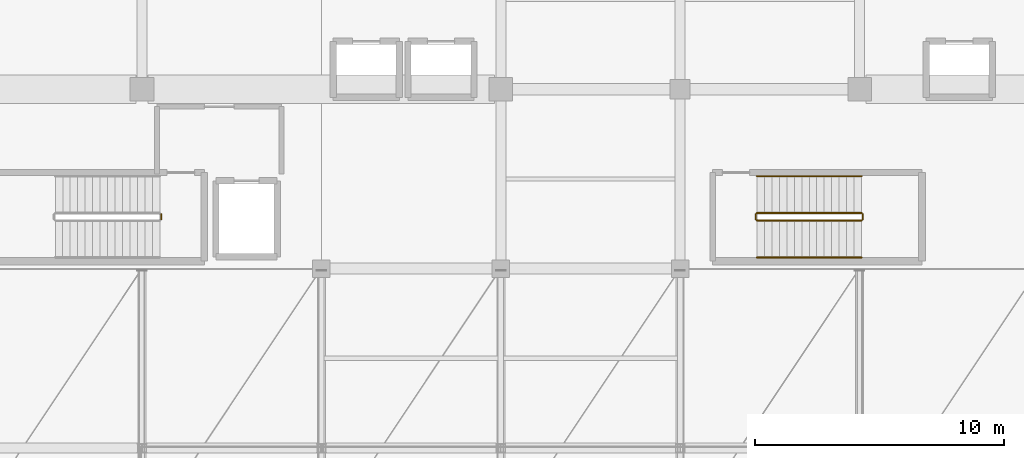
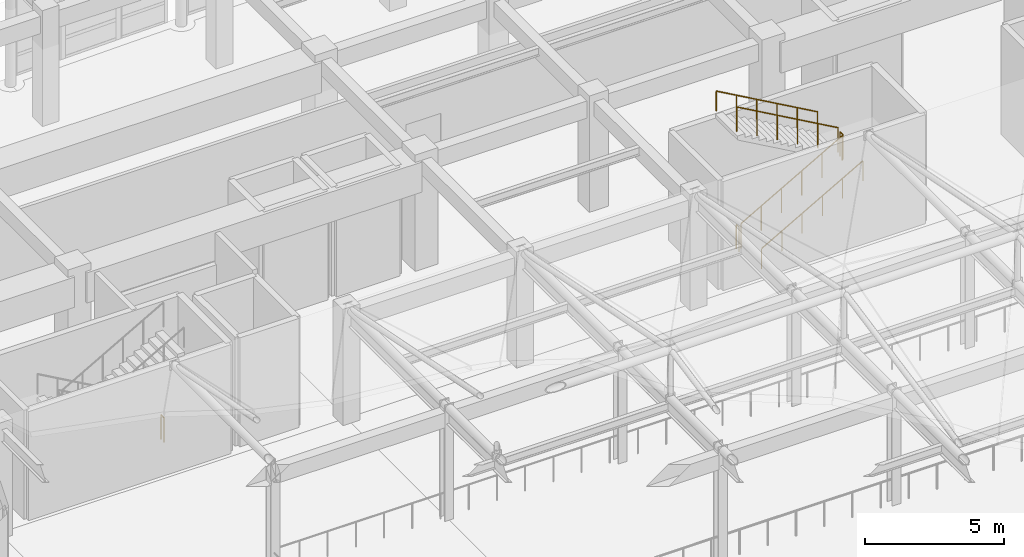
# One storey, part 111 of 117: 7 railings.
"""IFC4 building model written with IfcOpenShell, lengths in metres."""

from ifc_helpers import new_model, si_unit, direction, frame, origin, origin_2d, place, context, subcontext, project, spatial, circle, extrude, material, layer, layer_set, type_object, element, save


model = new_model("IFC4")

# Units and contexts
model_context = context("Model", 3, precision=1e-05, world=origin(), true_north=direction((0.0, 1.0)))
body_context = subcontext(model_context, "Body", "Model", "MODEL_VIEW")
ifc_project = project(units=[si_unit("LENGTHUNIT", "METRE"), si_unit("AREAUNIT", "SQUARE_METRE"), si_unit("VOLUMEUNIT", "CUBIC_METRE"), si_unit("PLANEANGLEUNIT", "RADIAN"), si_unit("MASSUNIT", "GRAM", prefix="KILO")], contexts=[model_context])

# Site, building, storey
site_placement = place(None, origin())
site = spatial("IfcSite", under=ifc_project, at=site_placement, CompositionType="ELEMENT")
building_placement = place(site_placement, origin())
building = spatial("IfcBuilding", under=site, at=building_placement, Name="Carrowvane Square Congress Hotel", CompositionType="ELEMENT")
storey_placement = place(building_placement, frame((0.0, 0.0, 5.39990234375)))
storey = spatial("IfcBuildingStorey", under=building, at=storey_placement, Name="L01", CompositionType="ELEMENT", Elevation=5.39990234375)

# Railings
ifc_material_1 = material(Name="Stainless steel 316", Category="steel")
ifc_layer_1 = layer(ifc_material_1, 0.048095703125)
ifc_layer_set_1 = layer_set([ifc_layer_1], Name="Stainless steel 316")
railing_type_1 = type_object("IfcRailingType", Name="RLG-HR-900", PredefinedType="HANDRAIL", material=ifc_layer_set_1)
railing_1_placement = place(storey_placement, frame((101.080078125, 92.25, 0.170166015625)))
element("IfcRailing", 1, at=railing_1_placement, inside=storey, type_object=railing_type_1, Name="L01 ST3 stair handrail 1", PredefinedType="HANDRAIL", context=body_context, shape_type="SweptSolid", body=[
    extrude(circle(Radius=0.02392578125, at=origin_2d()), frame((0.0, 0.0, 0.8759765625), z_axis=(0.870030139814, 0.0, 0.492998535308), x_axis=(0.0, 1.0, 0.0)), (0.0, 0.0, 1.0), 4.827392578125),
    extrude(circle(Radius=0.02099609375, at=origin_2d()), origin(), (0.0, 0.0, 1.0), 0.851806640625),
    extrude(circle(Radius=0.02099609375, at=origin_2d()), frame((0.840087890625, 0.0, 0.47607421875)), (0.0, 0.0, 1.0), 0.851806640625),
    extrude(circle(Radius=0.02099609375, at=origin_2d()), frame((1.679931640625, 0.0, 0.951904296875)), (0.0, 0.0, 1.0), 0.851806640625),
    extrude(circle(Radius=0.02099609375, at=origin_2d()), frame((2.52001953125, 0.0, 1.427978515625)), (0.0, 0.0, 1.0), 0.851806640625),
    extrude(circle(Radius=0.02099609375, at=origin_2d()), frame((3.35986328125, 0.0, 1.90380859375)), (0.0, 0.0, 1.0), 0.851806640625),
    extrude(circle(Radius=0.02099609375, at=origin_2d()), frame((4.199951171875, 0.0, 2.3798828125)), (0.0, 0.0, 1.0), 0.851806640625),
])
railing_2_placement = place(storey_placement, frame((105.280029296875, 95.510009765625, 2.72021484375)))
element("IfcRailing", 2, at=railing_2_placement, inside=storey, type_object=railing_type_1, Name="L01 ST3 stair handrail 2", PredefinedType="HANDRAIL", context=body_context, shape_type="SweptSolid", body=[
    extrude(circle(Radius=0.02392578125, at=origin_2d()), frame((0.0, 0.0, 0.8759765625), z_axis=(-0.870030139814, 0.0, 0.492998535308), x_axis=(0.0, -1.0, 0.0)), (0.0, 0.0, 1.0), 4.827392578125),
    extrude(circle(Radius=0.02099609375, at=origin_2d()), origin(), (0.0, 0.0, 1.0), 0.851806640625),
    extrude(circle(Radius=0.02099609375, at=origin_2d()), frame((-0.840087890625, 0.0, 0.47607421875)), (0.0, 0.0, 1.0), 0.851806640625),
    extrude(circle(Radius=0.02099609375, at=origin_2d()), frame((-1.679931640625, 0.0, 0.951904296875)), (0.0, 0.0, 1.0), 0.851806640625),
    extrude(circle(Radius=0.02099609375, at=origin_2d()), frame((-2.52001953125, 0.0, 1.427978515625)), (0.0, 0.0, 1.0), 0.851806640625),
    extrude(circle(Radius=0.02099609375, at=origin_2d()), frame((-3.35986328125, 0.0, 1.90380859375)), (0.0, 0.0, 1.0), 0.851806640625),
    extrude(circle(Radius=0.02099609375, at=origin_2d()), frame((-4.199951171875, 0.0, 2.3798828125)), (0.0, 0.0, 1.0), 0.851806640625),
])
ifc_material_2 = material(Name="Galvanised steel", Category="steel")
ifc_layer_2 = layer(ifc_material_2, 0.048095703125)
ifc_layer_set_2 = layer_set([ifc_layer_2], Name="Galvanised steel")
railing_type_2 = type_object("IfcRailingType", Name="RLG-STG-1100", PredefinedType="GUARDRAIL", material=ifc_layer_set_2)
railing_3_placement = place(storey_placement, frame((77.169921875, 93.97998046875, 0.0)))
element("IfcRailing", 3, at=railing_3_placement, inside=storey, type_object=railing_type_2, Name="L01 ST2 stair guard 4", PredefinedType="GUARDRAIL", context=body_context, shape_type="SweptSolid", body=[
    extrude(circle(Radius=0.02392578125, at=origin_2d()), frame((0.0, 0.0, 1.076171875), z_axis=(0.0, -1.0, 0.0), x_axis=(1.0, 0.0, 0.0)), (0.0, 0.0, 1.0), 0.199951171875),
    extrude(circle(Radius=0.02099609375, at=origin_2d()), origin(), (0.0, 0.0, 1.0), 1.052001953125),
    extrude(circle(Radius=0.02099609375, at=origin_2d()), frame((0.0, -0.199951171875, 0.0)), (0.0, 0.0, 1.0), 1.052001953125),
])
railing_4_placement = place(storey_placement, frame((101.080078125, 93.72998046875, 0.170166015625)))
element("IfcRailing", 4, at=railing_4_placement, inside=storey, type_object=railing_type_2, Name="L01 ST3 stair guard 1", PredefinedType="GUARDRAIL", context=body_context, shape_type="SweptSolid", body=[
    extrude(circle(Radius=0.02392578125, at=origin_2d()), frame((0.0, 0.0, 1.076171875), z_axis=(0.870030139814, 0.0, 0.492998535308), x_axis=(0.0, 1.0, 0.0)), (0.0, 0.0, 1.0), 4.827392578125),
    extrude(circle(Radius=0.02099609375, at=origin_2d()), origin(), (0.0, 0.0, 1.0), 1.052001953125),
    extrude(circle(Radius=0.02099609375, at=origin_2d()), frame((0.840087890625, 0.0, 0.47607421875)), (0.0, 0.0, 1.0), 1.052001953125),
    extrude(circle(Radius=0.02099609375, at=origin_2d()), frame((1.679931640625, 0.0, 0.951904296875)), (0.0, 0.0, 1.0), 1.052001953125),
    extrude(circle(Radius=0.02099609375, at=origin_2d()), frame((2.52001953125, 0.0, 1.427978515625)), (0.0, 0.0, 1.0), 1.052001953125),
    extrude(circle(Radius=0.02099609375, at=origin_2d()), frame((3.35986328125, 0.0, 1.90380859375)), (0.0, 0.0, 1.0), 1.052001953125),
    extrude(circle(Radius=0.02099609375, at=origin_2d()), frame((4.199951171875, 0.0, 2.3798828125)), (0.0, 0.0, 1.0), 1.052001953125),
])
railing_5_placement = place(storey_placement, frame((105.330078125, 93.780029296875, 2.550048828125)))
element("IfcRailing", 5, at=railing_5_placement, inside=storey, type_object=railing_type_2, Name="L01 ST3 stair guard 2", PredefinedType="GUARDRAIL", context=body_context, shape_type="SweptSolid", body=[
    extrude(circle(Radius=0.02392578125, at=origin_2d()), frame((0.0, 0.0, 1.076171875), z_axis=(0.0, 1.0, 0.0), x_axis=(-1.0, 0.0, 0.0)), (0.0, 0.0, 1.0), 0.199951171875),
    extrude(circle(Radius=0.02099609375, at=origin_2d()), origin(), (0.0, 0.0, 1.0), 1.052001953125),
    extrude(circle(Radius=0.02099609375, at=origin_2d()), frame((0.0, 0.199951171875, 0.0)), (0.0, 0.0, 1.0), 1.052001953125),
])
railing_6_placement = place(storey_placement, frame((105.280029296875, 94.030029296875, 2.72021484375)))
element("IfcRailing", 6, at=railing_6_placement, inside=storey, type_object=railing_type_2, Name="L01 ST3 stair guard 3", PredefinedType="GUARDRAIL", context=body_context, shape_type="SweptSolid", body=[
    extrude(circle(Radius=0.02392578125, at=origin_2d()), frame((0.0, 0.0, 1.076171875), z_axis=(-0.870030139814, 0.0, 0.492998535308), x_axis=(0.0, -1.0, 0.0)), (0.0, 0.0, 1.0), 4.827392578125),
    extrude(circle(Radius=0.02099609375, at=origin_2d()), origin(), (0.0, 0.0, 1.0), 1.052001953125),
    extrude(circle(Radius=0.02099609375, at=origin_2d()), frame((-0.840087890625, 0.0, 0.47607421875)), (0.0, 0.0, 1.0), 1.052001953125),
    extrude(circle(Radius=0.02099609375, at=origin_2d()), frame((-1.679931640625, 0.0, 0.951904296875)), (0.0, 0.0, 1.0), 1.052001953125),
    extrude(circle(Radius=0.02099609375, at=origin_2d()), frame((-2.52001953125, 0.0, 1.427978515625)), (0.0, 0.0, 1.0), 1.052001953125),
    extrude(circle(Radius=0.02099609375, at=origin_2d()), frame((-3.35986328125, 0.0, 1.90380859375)), (0.0, 0.0, 1.0), 1.052001953125),
    extrude(circle(Radius=0.02099609375, at=origin_2d()), frame((-4.199951171875, 0.0, 2.3798828125)), (0.0, 0.0, 1.0), 1.052001953125),
])
railing_7_placement = place(storey_placement, frame((101.030029296875, 93.780029296875, 0.0)))
element("IfcRailing", 7, at=railing_7_placement, inside=storey, type_object=railing_type_2, Name="L01 ST3 stair guard 4", PredefinedType="GUARDRAIL", context=body_context, shape_type="SweptSolid", body=[
    extrude(circle(Radius=0.02392578125, at=origin_2d()), frame((0.0, 0.0, 1.076171875), z_axis=(0.0, 1.0, 0.0), x_axis=(-1.0, 0.0, 0.0)), (0.0, 0.0, 1.0), 0.199951171875),
    extrude(circle(Radius=0.02099609375, at=origin_2d()), origin(), (0.0, 0.0, 1.0), 1.052001953125),
    extrude(circle(Radius=0.02099609375, at=origin_2d()), frame((0.0, 0.199951171875, 0.0)), (0.0, 0.0, 1.0), 1.052001953125),
])

save(model, "model.ifc")
